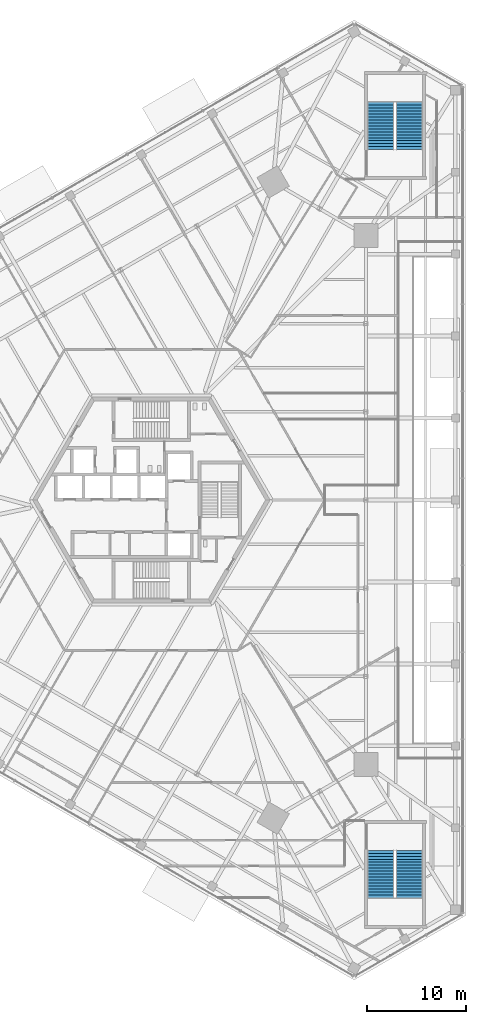
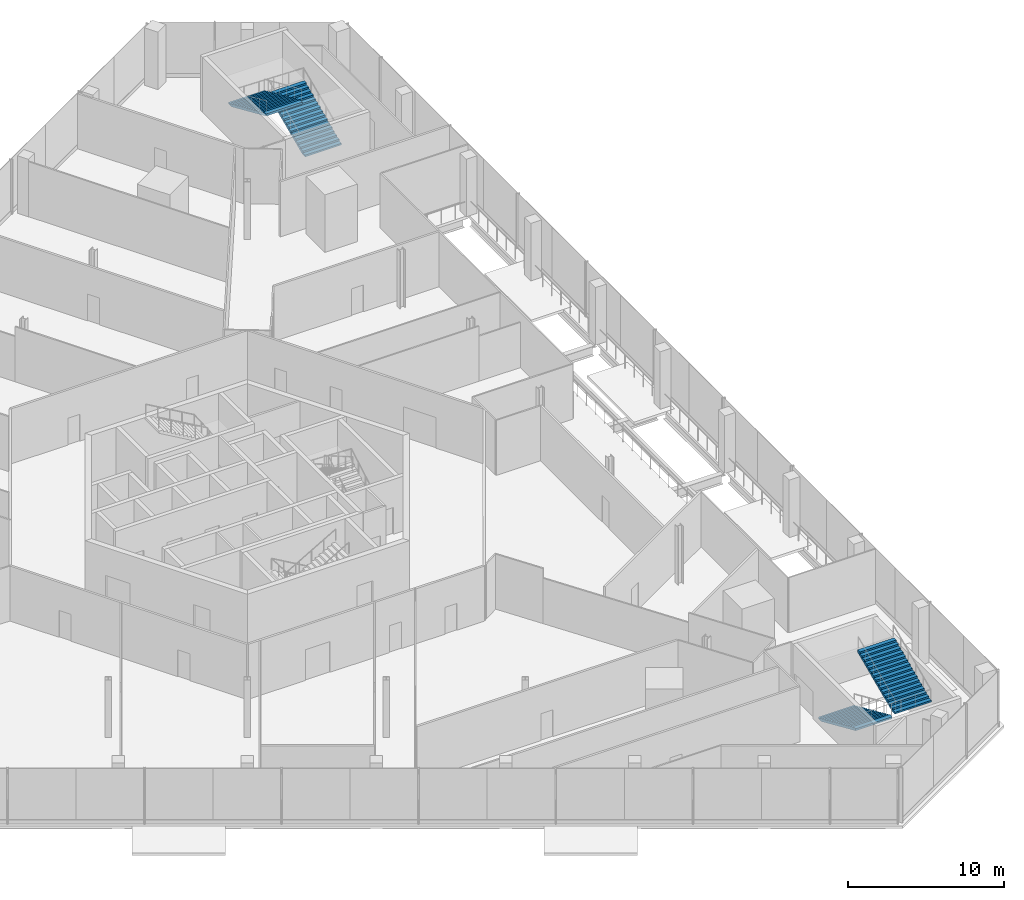
# One storey, part 24 of 27: 4 stair flights, 2 elements without a shape of their own.
"""IFC4 building model written with IfcOpenShell, lengths in metres."""

from ifc_helpers import new_model, si_unit, direction, frame, origin, place, context, subcontext, project, spatial, polyline, outline, extrude, source, transform, mapped, material, type_object, element, aggregate, save


model = new_model("IFC4")

# Units and contexts
model_context = context("Model", 3, precision=1e-05, world=origin(), true_north=direction((0.0, 1.0)))
body_context = subcontext(model_context, "Body", "Model", "MODEL_VIEW")
ifc_project = project(units=[si_unit("LENGTHUNIT", "METRE"), si_unit("AREAUNIT", "SQUARE_METRE"), si_unit("VOLUMEUNIT", "CUBIC_METRE"), si_unit("PLANEANGLEUNIT", "RADIAN"), si_unit("MASSUNIT", "GRAM", prefix="KILO")], contexts=[model_context])

# Site, building, storey
site_placement = place(None, origin())
site = spatial("IfcSite", under=ifc_project, at=site_placement, CompositionType="ELEMENT")
building_placement = place(site_placement, origin())
building = spatial("IfcBuilding", under=site, at=building_placement, Name="Triune Harvest Tower", CompositionType="ELEMENT")
storey_placement = place(building_placement, frame((0.0, 0.0, 7.0)))
storey = spatial("IfcBuildingStorey", under=building, at=storey_placement, Name="L01", CompositionType="ELEMENT", Elevation=7.0)

# Stair, stair flights
ifc_material_1 = material(Name="Concrete 40 MPa", Category="concrete")
stair_type = type_object("IfcStairType", Name="Podium exit stair 2700 half turn", PredefinedType="HALF_TURN_STAIR", material=ifc_material_1)
stair_1_placement = place(storey_placement, origin())
stair_1 = element("IfcStair", 1, at=stair_1_placement, inside=storey, type_object=stair_type, Name="Podium exit stair north", PredefinedType="HALF_TURN_STAIR")
ifc_material_2 = material(Name="Concrete 40 MPa", Category="concrete")
stair_flight_type = type_object("IfcStairFlightType", Name="Stair flight 2700", PredefinedType="STRAIGHT", material=ifc_material_2)
shared_shape = source(origin(), body_context, "Body", "SweptSolid", [
    extrude(outline(polyline([(0.0, 0.0), (0.0, 0.13232421875), (0.300048828125, 0.13232421875), (0.300048828125, 0.2646484375), (0.60009765625, 0.2646484375), (0.60009765625, 0.39697265625), (0.89990234375, 0.39697265625), (0.89990234375, 0.529296875), (1.199951171875, 0.529296875), (1.199951171875, 0.661865234375), (1.5, 0.661865234375), (1.5, 0.794189453125), (1.800048828125, 0.794189453125), (1.800048828125, 0.926513671875), (2.10009765625, 0.926513671875), (2.10009765625, 1.058837890625), (2.39990234375, 1.058837890625), (2.39990234375, 1.191162109375), (2.699951171875, 1.191162109375), (2.699951171875, 1.323486328125), (3.0, 1.323486328125), (3.0, 1.455810546875), (3.300048828125, 1.455810546875), (3.300048828125, 1.588134765625), (3.60009765625, 1.588134765625), (3.60009765625, 1.720458984375), (3.89990234375, 1.720458984375), (3.89990234375, 1.852783203125), (4.199951171875, 1.852783203125), (4.199951171875, 1.9853515625), (4.5, 1.9853515625), (4.5, 2.11767578125), (4.800048828125, 2.11767578125), (4.800048828125, 2.25), (4.800048828125, 1.953857421875), (0.371337890625, 0.0), (0.0, 0.0)])), frame((0.0, 1.35009765625, 0.0), z_axis=(0.0, -1.0, 0.0), x_axis=(1.0, 0.0, 0.0)), (0.0, 0.0, 1.0), 2.699951171875),
])
stair_flight_1_placement = place(storey_placement, frame((26.070068359375, 35.39990234375, 0.0), z_axis=(0.0, 0.0, 1.0), x_axis=(0.0, 1.0, 0.0)))
stair_flight_1 = element("IfcStairFlight", 2, at=stair_flight_1_placement, type_object=stair_flight_type, Name="PS-1 flight 1", NumberOfRisers=17, NumberOfTreads=16, PredefinedType="STRAIGHT", RiserHeight=0.13235, TreadLength=0.3, context=body_context, shape_type="MappedRepresentation", body=[
    mapped(shared_shape, transform((0.0, 0.0, 0.0), scale=1.0)),
])
stair_flight_2_placement = place(storey_placement, frame((23.169921875, 40.199951171875, 2.25), z_axis=(0.0, 0.0, 1.0), x_axis=(0.0, -1.0, 0.0)))
stair_flight_2 = element("IfcStairFlight", 3, at=stair_flight_2_placement, type_object=stair_flight_type, Name="PS-1 flight 2", NumberOfRisers=17, NumberOfTreads=16, PredefinedType="STRAIGHT", RiserHeight=0.13235, TreadLength=0.3, context=body_context, shape_type="MappedRepresentation", body=[
    mapped(shared_shape, transform((0.0, 0.0, 0.0), scale=1.0)),
])
aggregate(stair_1, [stair_flight_1, stair_flight_2])

stair_2_placement = place(storey_placement, origin())
stair_2 = element("IfcStair", 4, at=stair_2_placement, inside=storey, type_object=stair_type, Name="Podium exit stair south", PredefinedType="HALF_TURN_STAIR")
stair_flight_3_placement = place(storey_placement, frame((23.169921875, -35.39990234375, 0.0), z_axis=(0.0, 0.0, 1.0), x_axis=(0.0, -1.0, 0.0)))
stair_flight_3 = element("IfcStairFlight", 5, at=stair_flight_3_placement, type_object=stair_flight_type, Name="PS-2 flight 1", NumberOfRisers=17, NumberOfTreads=16, PredefinedType="STRAIGHT", RiserHeight=0.13235, TreadLength=0.3, context=body_context, shape_type="MappedRepresentation", body=[
    mapped(shared_shape, transform((0.0, 0.0, 0.0), scale=1.0)),
])
stair_flight_4_placement = place(storey_placement, frame((26.070068359375, -40.199951171875, 2.25), z_axis=(0.0, 0.0, 1.0), x_axis=(0.0, 1.0, 0.0)))
stair_flight_4 = element("IfcStairFlight", 6, at=stair_flight_4_placement, type_object=stair_flight_type, Name="PS-2 flight 2", NumberOfRisers=17, NumberOfTreads=16, PredefinedType="STRAIGHT", RiserHeight=0.13235, TreadLength=0.3, context=body_context, shape_type="MappedRepresentation", body=[
    mapped(shared_shape, transform((0.0, 0.0, 0.0), scale=1.0)),
])
aggregate(stair_2, [stair_flight_3, stair_flight_4])

save(model, "model.ifc")
